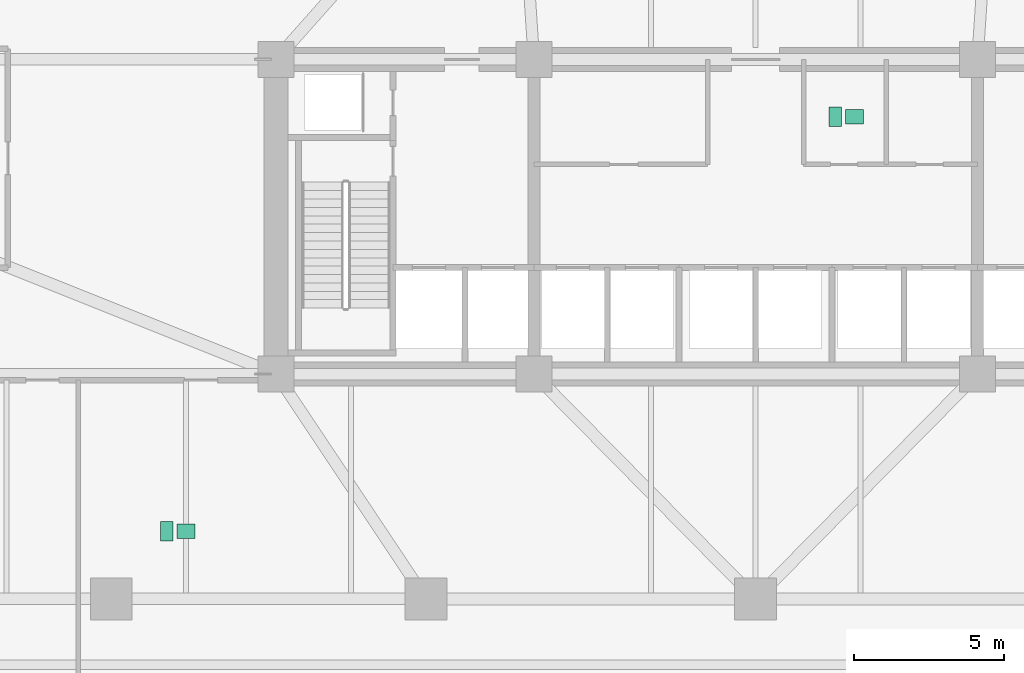
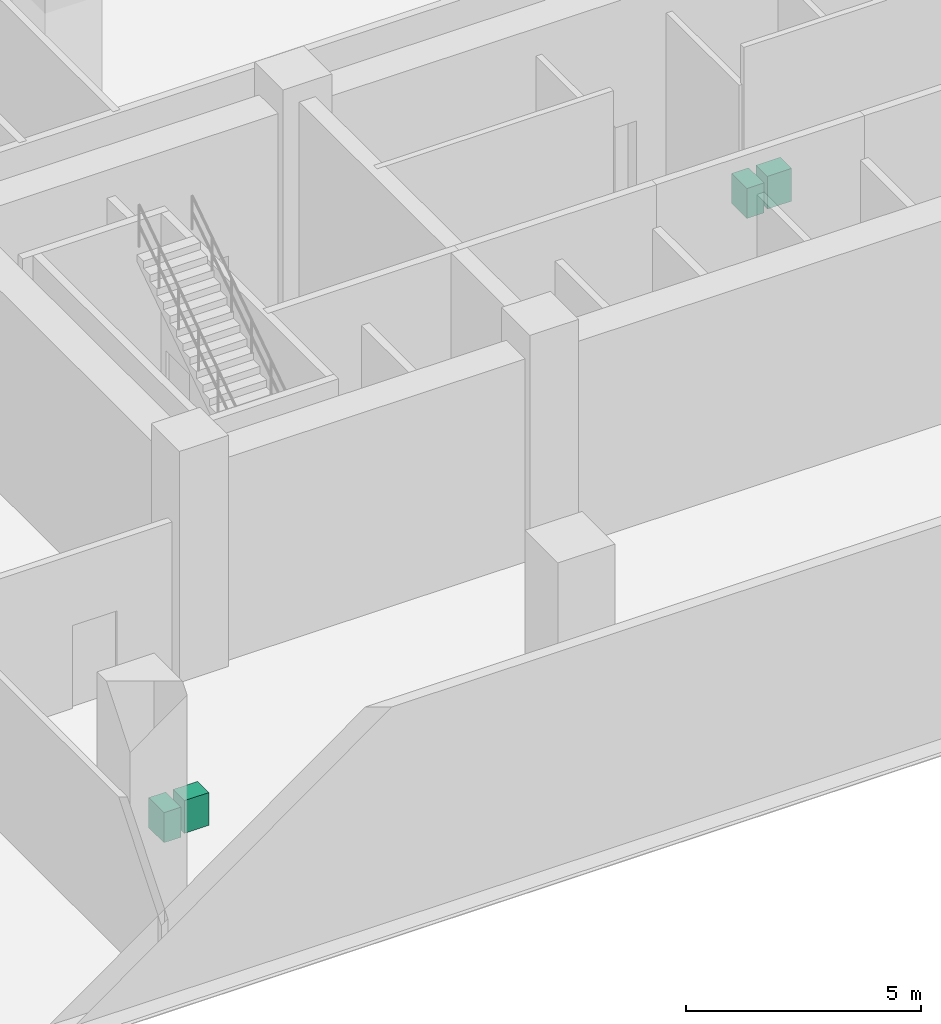
# One storey, part 16 of 16: 4 sanitary terminals.
"""IFC4 building model written with IfcOpenShell, lengths in metres."""

from ifc_helpers import new_model, si_unit, direction, frame, origin, origin_2d, place, context, subcontext, project, spatial, rectangle, extrude, material, type_object, element, save


model = new_model("IFC4")

# Units and contexts
model_context = context("Model", 3, precision=1e-05, world=origin(), true_north=direction((0.0, 1.0)))
body_context = subcontext(model_context, "Body", "Model", "MODEL_VIEW")
ifc_project = project(units=[si_unit("LENGTHUNIT", "METRE"), si_unit("AREAUNIT", "SQUARE_METRE"), si_unit("VOLUMEUNIT", "CUBIC_METRE"), si_unit("PLANEANGLEUNIT", "RADIAN"), si_unit("MASSUNIT", "GRAM", prefix="KILO")], contexts=[model_context])

# Site, building, storey
site_placement = place(None, origin())
site = spatial("IfcSite", under=ifc_project, at=site_placement, CompositionType="ELEMENT")
building_placement = place(site_placement, origin())
building = spatial("IfcBuilding", under=site, at=building_placement, Name="Solmavex Isthmus Hotel", CompositionType="ELEMENT")
storey_placement = place(building_placement, frame((0.0, 0.0, 20.39990234375)))
storey = spatial("IfcBuildingStorey", under=building, at=storey_placement, Name="L05", CompositionType="ELEMENT", Elevation=20.39990234375)

# Sanitary terminals
ifc_material = material(Name="Vitreous china ceramic", Category="ceramic")
sanitary_terminal_type_1 = type_object("IfcSanitaryTerminalType", Name="SAN-BASIN", PredefinedType="WASHHANDBASIN", material=ifc_material)
for number, where, z_axis, x_axis, name in (
    (1, (3.294921875, -4.409912109375, 0.0), (0.0, 0.0, 1.0), (1.0, 0.0, 0.0), "Vanity Washbasin L05-14"),
    (2, (-19.0048828125, -18.25, 0.0), (0.0, 0.0, 1.0), (1.0, 0.0, 0.0), "Vanity Washbasin L05-15"),
):
    element("IfcSanitaryTerminal", number, at=place(storey_placement, frame(where, z_axis=z_axis, x_axis=x_axis)), inside=storey, type_object=sanitary_terminal_type_1, Name=name, PredefinedType="WASHHANDBASIN", context=body_context, shape_type="SweptSolid", body=[
        extrude(rectangle(XDim=0.60009765625, YDim=0.47998046875, at=origin_2d()), origin(), (0.0, 0.0, 1.0), 0.85009765625),
    ])
sanitary_terminal_type_2 = type_object("IfcSanitaryTerminalType", Name="SAN-WC-SUITE", PredefinedType="TOILETPAN", material=ifc_material)
for number, where, z_axis, x_axis, name in (
    (3, (2.655029296875, -4.409912109375, 0.0), (0.0, 0.0, 1.0), (1.0, 0.0, 0.0), "Water Closet L05-14"),
    (4, (-19.64501953125, -18.25, 0.0), (0.0, 0.0, 1.0), (1.0, 0.0, 0.0), "Water Closet L05-15"),
):
    element("IfcSanitaryTerminal", number, at=place(storey_placement, frame(where, z_axis=z_axis, x_axis=x_axis)), inside=storey, type_object=sanitary_terminal_type_2, Name=name, PredefinedType="TOILETPAN", context=body_context, shape_type="SweptSolid", body=[
        extrude(rectangle(XDim=0.419921875, YDim=0.64990234375, at=origin_2d()), origin(), (0.0, 0.0, 1.0), 0.780029296875),
    ])

save(model, "model.ifc")
